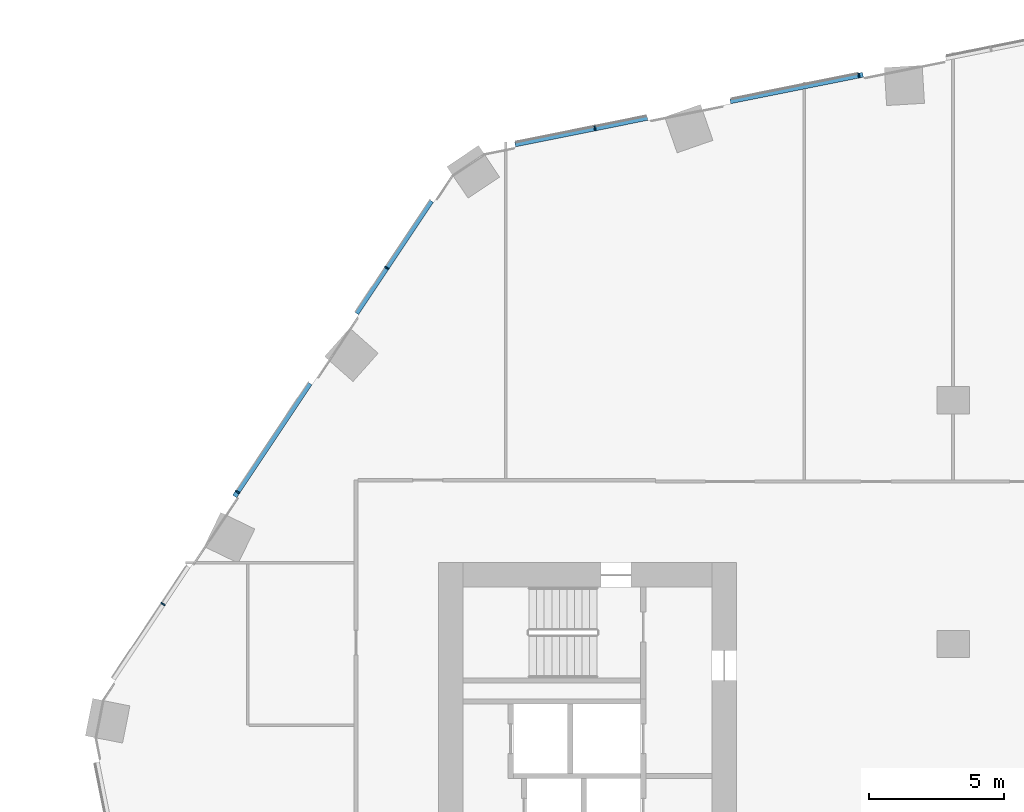
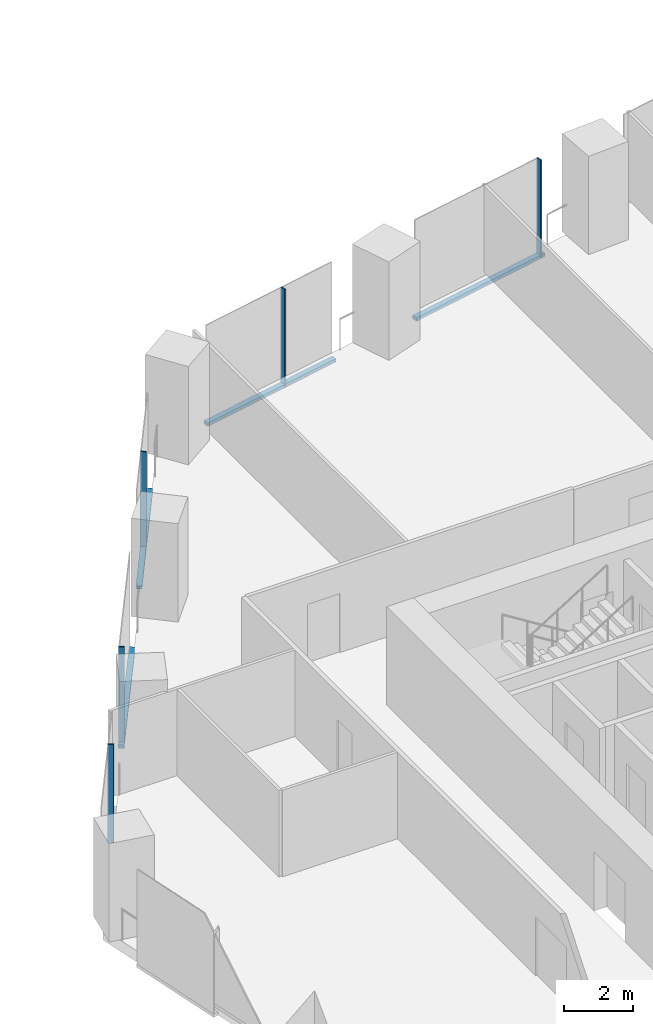
# One storey, part 12 of 32: 9 members, 2 elements without a shape of their own.
"""IFC4 building model written with IfcOpenShell, lengths in metres."""

from ifc_helpers import new_model, si_unit, direction, frame, origin, origin_2d, place, context, subcontext, project, spatial, rectangle, extrude, material, material_profile, profile_set, type_object, element, aggregate, save


model = new_model("IFC4")

# Units and contexts
model_context = context("Model", 3, precision=1e-05, world=origin(), true_north=direction((0.0, 1.0)))
body_context = subcontext(model_context, "Body", "Model", "MODEL_VIEW")
ifc_project = project(units=[si_unit("LENGTHUNIT", "METRE"), si_unit("AREAUNIT", "SQUARE_METRE"), si_unit("VOLUMEUNIT", "CUBIC_METRE"), si_unit("PLANEANGLEUNIT", "RADIAN"), si_unit("MASSUNIT", "GRAM", prefix="KILO")], contexts=[model_context])

# Site, building, storey
site_placement = place(None, origin())
site = spatial("IfcSite", under=ifc_project, at=site_placement, CompositionType="ELEMENT")
building_placement = place(site_placement, origin())
building = spatial("IfcBuilding", under=site, at=building_placement, Name="Orlundy Tower", CompositionType="ELEMENT")
storey_placement = place(building_placement, frame((0.0, 0.0, 58.800048828125)))
storey = spatial("IfcBuildingStorey", under=building, at=storey_placement, Name="L13", CompositionType="ELEMENT", Elevation=58.800048828125)

# Curtain wall, members
ifc_material_1 = material(Name="Aluminium bronze anodised", Category="aluminium")
curtain_wall_type = type_object("IfcCurtainWallType", Name="CW1 wall", PredefinedType="NOTDEFINED", material=ifc_material_1)
curtain_wall_1_placement = place(storey_placement, origin())
curtain_wall_1 = element("IfcCurtainWall", 1, at=curtain_wall_1_placement, inside=storey, type_object=curtain_wall_type, Name="CW1 run 014", PredefinedType="NOTDEFINED")
ifc_material_2 = material(Name="Aluminium bronze anodised", Category="aluminium")
ifc_material_profile_1 = material_profile(ifc_material_2, rectangle(XDim=0.179931640625, YDim=0.050048828125, at=origin_2d()), Name="CW1 mullion 50x180")
ifc_profile_set_1 = profile_set([ifc_material_profile_1], Name="Aluminium bronze anodised")
member_type_1 = type_object("IfcMemberType", Name="CW1 mullion 50x180", PredefinedType="MULLION", material=ifc_profile_set_1)
member_1_placement = place(storey_placement, frame((-29.176513671875, 10.4755859375, -0.400146484375), z_axis=(0.0, 0.0, 1.0), x_axis=(-0.832279269513, 0.554356579774, 0.0)))
member_1 = element("IfcMember", 2, at=member_1_placement, type_object=member_type_1, Name="CW1 mullion 35", PredefinedType="MULLION", context=body_context, shape_type="SweptSolid", body=[
    extrude(rectangle(XDim=0.179931640625, YDim=0.050048828125, at=origin_2d()), origin(), (0.0, 0.0, 1.0), 3.5),
])
member_2_placement = place(storey_placement, frame((-26.421142578125, 14.612548828125, -0.400146484375), z_axis=(0.0, 0.0, 1.0), x_axis=(-0.832279269513, 0.554356579774, 0.0)))
member_2 = element("IfcMember", 3, at=member_2_placement, type_object=member_type_1, Name="CW1 mullion 36", PredefinedType="MULLION", context=body_context, shape_type="SweptSolid", body=[
    extrude(rectangle(XDim=0.179931640625, YDim=0.050048828125, at=origin_2d()), origin(), (0.0, 0.0, 1.0), 3.5),
])
member_3_placement = place(storey_placement, frame((-20.910400390625, 22.885986328125, -0.400146484375), z_axis=(0.0, 0.0, 1.0), x_axis=(-0.832279269513, 0.554356579774, 0.0)))
member_3 = element("IfcMember", 4, at=member_3_placement, type_object=member_type_1, Name="CW1 mullion 38", PredefinedType="MULLION", context=body_context, shape_type="SweptSolid", body=[
    extrude(rectangle(XDim=0.179931640625, YDim=0.050048828125, at=origin_2d()), origin(), (0.0, 0.0, 1.0), 3.5),
])

curtain_wall_2_placement = place(storey_placement, origin())
curtain_wall_2 = element("IfcCurtainWall", 5, at=curtain_wall_2_placement, inside=storey, type_object=curtain_wall_type, Name="CW1 run 015", PredefinedType="NOTDEFINED")
member_4_placement = place(storey_placement, frame((-13.223876953125, 28.0380859375, -0.400146484375), z_axis=(0.0, 0.0, 1.0), x_axis=(-0.196510737775, 0.980501672583, 0.0)))
member_4 = element("IfcMember", 6, at=member_4_placement, type_object=member_type_1, Name="CW1 mullion 40", PredefinedType="MULLION", context=body_context, shape_type="SweptSolid", body=[
    extrude(rectangle(XDim=0.179931640625, YDim=0.050048828125, at=origin_2d()), origin(), (0.0, 0.0, 1.0), 3.5),
])
member_5_placement = place(storey_placement, frame((-3.476318359375, 29.99169921875, -0.400146484375), z_axis=(0.0, 0.0, 1.0), x_axis=(-0.196510737775, 0.980501672583, 0.0)))
member_5 = element("IfcMember", 7, at=member_5_placement, type_object=member_type_1, Name="CW1 mullion 42", PredefinedType="MULLION", context=body_context, shape_type="SweptSolid", body=[
    extrude(rectangle(XDim=0.179931640625, YDim=0.050048828125, at=origin_2d()), origin(), (0.0, 0.0, 1.0), 3.5),
])

# Member
ifc_material_3 = material(Name="Aluminium bronze anodised", Category="aluminium")
ifc_material_profile_2 = material_profile(ifc_material_3, rectangle(XDim=0.179931640625, YDim=0.1201171875, at=origin_2d()), Name="CW1 transom 180x120")
ifc_profile_set_2 = profile_set([ifc_material_profile_2], Name="Aluminium bronze anodised")
member_type_2 = type_object("IfcMemberType", Name="CW1 transom 180x120", PredefinedType="USERDEFINED", material=ifc_profile_set_2)
member_6_placement = place(storey_placement, frame((-26.52880859375, 14.450927734375, -0.340087890625), z_axis=(0.554374225275, 0.832267516097, 0.0), x_axis=(-0.832267516097, 0.554374225275, 0.0)))
member_6 = element("IfcMember", 8, at=member_6_placement, type_object=member_type_2, Name="CW1 transom", ObjectType="TRANSOM", PredefinedType="USERDEFINED", context=body_context, shape_type="SweptSolid", body=[
    extrude(rectangle(XDim=0.179931640625, YDim=0.1201171875, at=origin_2d()), origin(), (0.0, 0.0, 1.0), 5.012939453125),
])

member_7_placement = place(storey_placement, frame((-22.028076171875, 21.207763671875, -0.340087890625), z_axis=(0.554349910046, 0.832283711983, 0.0), x_axis=(-0.832283711983, 0.554349910046, 0.0)))
member_7 = element("IfcMember", 9, at=member_7_placement, type_object=member_type_2, Name="CW1 transom", ObjectType="TRANSOM", PredefinedType="USERDEFINED", context=body_context, shape_type="SweptSolid", body=[
    extrude(rectangle(XDim=0.179931640625, YDim=0.1201171875, at=origin_2d()), origin(), (0.0, 0.0, 1.0), 4.98681640625),
])

aggregate(curtain_wall_1, [member_1, member_2, member_3, member_6, member_7])

member_8_placement = place(storey_placement, frame((-16.172119140625, 27.447021484375, -0.340087890625), z_axis=(0.980499520245, 0.196521476686, 0.0), x_axis=(-0.196521476686, 0.980499520245, 0.0)))
member_8 = element("IfcMember", 10, at=member_8_placement, type_object=member_type_2, Name="CW1 transom", ObjectType="TRANSOM", PredefinedType="USERDEFINED", context=body_context, shape_type="SweptSolid", body=[
    extrude(rectangle(XDim=0.179931640625, YDim=0.1201171875, at=origin_2d()), origin(), (0.0, 0.0, 1.0), 4.98046875),
])

member_9_placement = place(storey_placement, frame((-8.22705078125, 29.03955078125, -0.340087890625), z_axis=(0.980499783369, 0.196520163886, 0.0), x_axis=(-0.196520163886, 0.980499783369, 0.0)))
member_9 = element("IfcMember", 11, at=member_9_placement, type_object=member_type_2, Name="CW1 transom", ObjectType="TRANSOM", PredefinedType="USERDEFINED", context=body_context, shape_type="SweptSolid", body=[
    extrude(rectangle(XDim=0.179931640625, YDim=0.1201171875, at=origin_2d()), origin(), (0.0, 0.0, 1.0), 4.99658203125),
])

aggregate(curtain_wall_2, [member_4, member_5, member_8, member_9])

save(model, "model.ifc")
